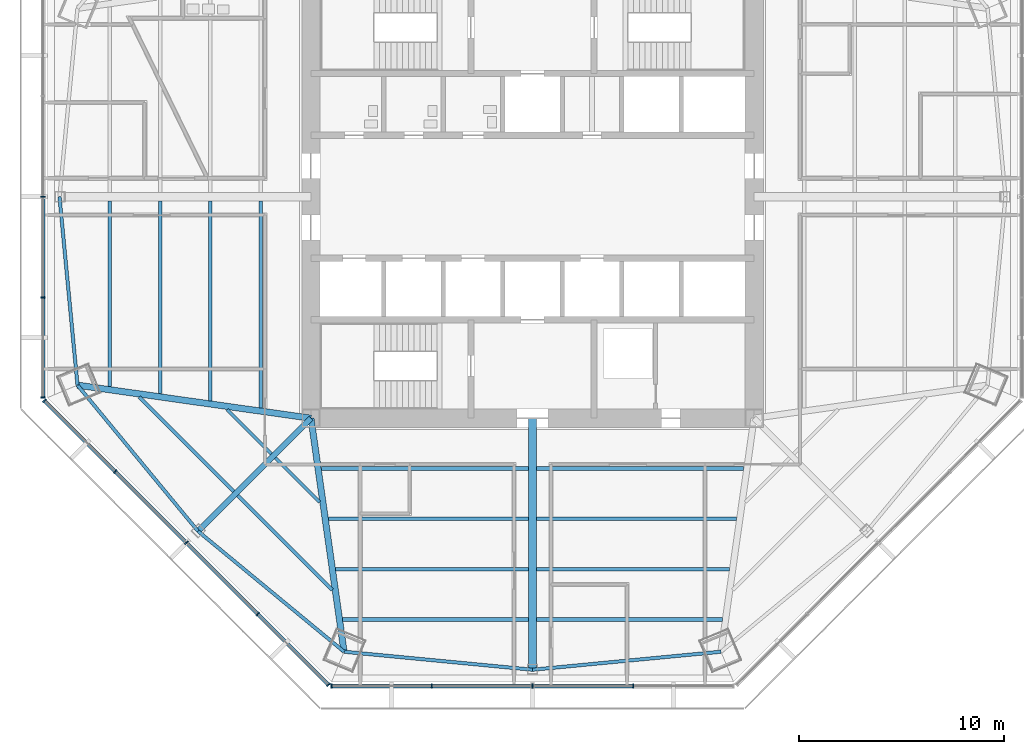
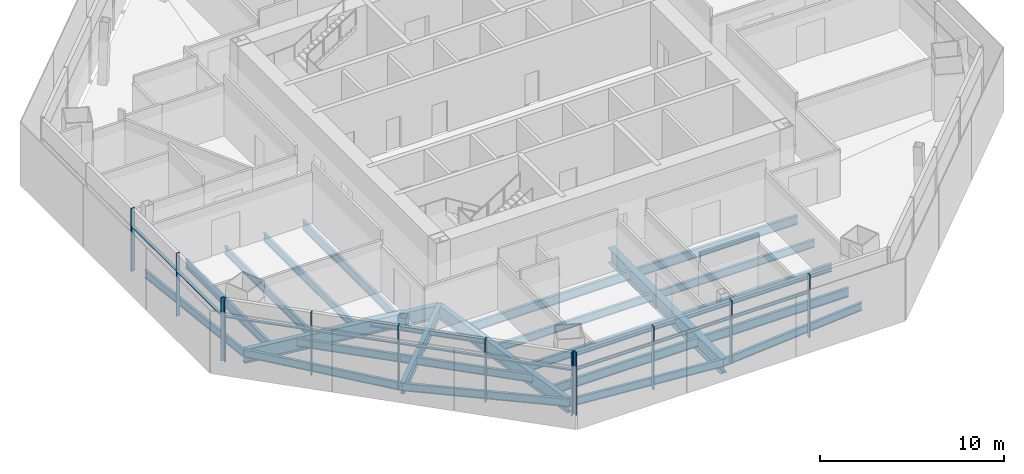
# One storey, part 2 of 14: 25 beams, 21 members, 3 elements without a shape of their own.
"""IFC4 building model written with IfcOpenShell, lengths in metres."""

import ifcopenshell
import ifcopenshell.guid

model = None  # the IFC model being written
_history = None  # IfcOwnerHistory: only IFC2X3 demands one
_inside = {}  # id of a spatial element -> (the spatial element, [elements in it])
_under = {}  # id of a project, library or spatial element -> (it, [spatial elements below it])
_declared = {}  # id of a project -> (the project, [libraries it declares])
_typed = {}  # id of a type object -> (the type object, [elements of that type])
_made_of = {}  # id of a material, layer set ... -> (it, [elements and type objects made of it])


def new_model(schema):
    """Start an empty IFC model of exactly this schema.

    Asked for "IFC4X3", IfcOpenShell would pick the latest addendum, in which some entities
    have other attributes; the version numbers below select the first issue.
    IFC2X3 requires an IfcOwnerHistory on every rooted entity: one is made here for all.
    """
    global model, _history
    if schema == "IFC4X3":
        model = ifcopenshell.file(schema_version=(4, 3, 0, 0))
    else:
        model = ifcopenshell.file(schema=schema)
    _inside.clear()
    _under.clear()
    _declared.clear()
    _typed.clear()
    _made_of.clear()
    _history = None
    if model.schema == "IFC2X3":
        org = make("IfcOrganization", Name="unknown")
        user = make(
            "IfcPersonAndOrganization",
            ThePerson=make("IfcPerson", FamilyName="unknown"),
            TheOrganization=org,
        )
        app = make(
            "IfcApplication",
            ApplicationDeveloper=org,
            Version="unknown",
            ApplicationFullName="unknown",
            ApplicationIdentifier="unknown",
        )
        _history = make(
            "IfcOwnerHistory",
            OwningUser=user,
            OwningApplication=app,
            ChangeAction="ADDED",
            CreationDate=0,
        )
    return model


def make(cls, **values):
    """One entity of the class cls with the attributes given. An attribute that is None is left unset."""
    return model.create_entity(
        cls, **{name: value for name, value in values.items() if value is not None}
    )


def rooted(cls, **values):
    """An entity with a GlobalId (a new one), such as an element, a storey or a relation."""
    return make(cls, GlobalId=ifcopenshell.guid.new(), OwnerHistory=_history, **values)


def si_unit(unit_type, name, prefix=None):
    """IfcSIUnit, for example si_unit("LENGTHUNIT", "METRE", prefix="MILLI")."""
    return make("IfcSIUnit", UnitType=unit_type, Prefix=prefix, Name=name)


def assignment(units):
    """IfcUnitAssignment: the units of a project."""
    return None if units is None else make("IfcUnitAssignment", Units=units)


def point(xyz):
    """IfcCartesianPoint."""
    return None if xyz is None else make("IfcCartesianPoint", Coordinates=xyz)


def direction(xyz):
    """IfcDirection."""
    return None if xyz is None else make("IfcDirection", DirectionRatios=xyz)


def frame(location, z_axis=None, x_axis=None):
    """IfcAxis2Placement3D, a coordinate frame: its origin and axes. An axis left out is left unset."""
    return make(
        "IfcAxis2Placement3D",
        Location=point(location),
        Axis=direction(z_axis),
        RefDirection=direction(x_axis),
    )


def frame_2d(location, x_axis=None):
    """IfcAxis2Placement2D, a coordinate frame in the plane: its origin and x axis."""
    return make(
        "IfcAxis2Placement2D", Location=point(location), RefDirection=direction(x_axis)
    )


def origin():
    """The frame at (0, 0, 0) with its axes left unset."""
    return frame((0.0, 0.0, 0.0))


def origin_2d():
    """The frame at (0, 0) in the plane with its x axis left unset."""
    return frame_2d((0.0, 0.0))


def place(relative_to, where):
    """IfcLocalPlacement: puts the frame where relative to a parent placement (None: the world)."""
    return make(
        "IfcLocalPlacement", PlacementRelTo=relative_to, RelativePlacement=where
    )


def context(
    kind, dimensions, precision=None, world=None, true_north=None, identifier=None
):
    """IfcGeometricRepresentationContext, for example the 3D "Model" context."""
    return make(
        "IfcGeometricRepresentationContext",
        ContextIdentifier=identifier,
        ContextType=kind,
        CoordinateSpaceDimension=dimensions,
        Precision=precision,
        WorldCoordinateSystem=world,
        TrueNorth=true_north,
    )


def subcontext(parent, identifier, kind, view, scale=None):
    """IfcGeometricRepresentationSubContext, for example "Body" below "Model"."""
    return make(
        "IfcGeometricRepresentationSubContext",
        ContextIdentifier=identifier,
        ContextType=kind,
        ParentContext=parent,
        TargetScale=scale,
        TargetView=view,
    )


def project(units=None, contexts=None):
    """IfcProject with its units and contexts."""
    return rooted(
        "IfcProject",
        Name="project",
        RepresentationContexts=contexts,
        UnitsInContext=assignment(units),
    )


def spatial(cls, under=None, at=None, **own):
    """A site, building, storey or space (cls), placed at a placement, below another one or the project."""
    s = rooted(cls, ObjectPlacement=at, **own)
    if under is not None:
        _under.setdefault(under.id(), (under, []))[1].append(s)
    return s


def profile(cls, at=None, kind="AREA", **sizes):
    """A parametric profile (cls). Its sizes go by their IFC names, for example OverallWidth=200.0."""
    return make(cls, ProfileType=kind, Position=at, **sizes)


def rectangle(**sizes):
    """IfcRectangleProfileDef."""
    return profile("IfcRectangleProfileDef", **sizes)


def i_section(**sizes):
    """IfcIShapeProfileDef."""
    return profile("IfcIShapeProfileDef", **sizes)


def extrude(swept, where, along, depth):
    """IfcExtrudedAreaSolid: the profile swept, set in the frame where, extruded along a direction by depth."""
    return make(
        "IfcExtrudedAreaSolid",
        SweptArea=swept,
        Position=where,
        ExtrudedDirection=direction(along),
        Depth=depth,
    )


def shape(context_of_items, identifier, shape_type, items):
    """IfcShapeRepresentation: the items that make up one representation, for example the "Body"."""
    return make(
        "IfcShapeRepresentation",
        ContextOfItems=context_of_items,
        RepresentationIdentifier=identifier,
        RepresentationType=shape_type,
        Items=items,
    )


def source(mapping_origin, context_of_items, identifier, shape_type, items):
    """IfcRepresentationMap: a shape defined once, which mapped items show again and again."""
    return make(
        "IfcRepresentationMap",
        MappingOrigin=mapping_origin,
        MappedRepresentation=shape(context_of_items, identifier, shape_type, items),
    )


def transform(
    local_origin,
    x_axis=None,
    y_axis=None,
    z_axis=None,
    scale=None,
    scale2=None,
    scale3=None,
    uniform=True,
):
    """IfcCartesianTransformationOperator3D, or its non-uniform kind. x_axis, y_axis, z_axis: its Axis1, 2, 3."""
    if uniform:
        return make(
            "IfcCartesianTransformationOperator3D",
            Axis1=direction(x_axis),
            Axis2=direction(y_axis),
            LocalOrigin=point(local_origin),
            Scale=scale,
            Axis3=direction(z_axis),
        )
    return make(
        "IfcCartesianTransformationOperator3DnonUniform",
        Axis1=direction(x_axis),
        Axis2=direction(y_axis),
        LocalOrigin=point(local_origin),
        Scale=scale,
        Axis3=direction(z_axis),
        Scale2=scale2,
        Scale3=scale3,
    )


def mapped(mapping_source, mapping_target):
    """IfcMappedItem: shows the shape of a source again, moved by a transform."""
    return make(
        "IfcMappedItem", MappingSource=mapping_source, MappingTarget=mapping_target
    )


def material(Name=None, Category=None):
    """IfcMaterial."""
    return make("IfcMaterial", Name=Name, Category=Category)


def material_profile(
    of_material, cross_section, Name=None, Category=None, Priority=None
):
    """IfcMaterialProfile: a cross section and its material."""
    return make(
        "IfcMaterialProfile",
        Name=Name,
        Material=of_material,
        Profile=cross_section,
        Priority=Priority,
        Category=Category,
    )


def profile_set(profiles, Name=None, composite=None):
    """IfcMaterialProfileSet."""
    return make(
        "IfcMaterialProfileSet",
        Name=Name,
        MaterialProfiles=profiles,
        CompositeProfile=composite,
    )


def made_of(thing, what):
    """Note that an element or type object is made of a material, layer set ...; save() writes the relation."""
    if what is not None:
        _made_of.setdefault(what.id(), (what, []))[1].append(thing)
    return thing


def type_object(cls, material=None, **own):
    """A type object (cls), such as IfcWallType, which elements share."""
    return made_of(rooted(cls, **own), material)


def type_shapes(of_type, sources):
    """Give a type object the sources (RepresentationMaps) that its elements show as mapped items."""
    of_type.RepresentationMaps = sources


def element(
    cls,
    number,
    at=None,
    inside=None,
    cuts=None,
    type_object=None,
    material=None,
    context=None,
    identifier="Body",
    shape_type=None,
    held_by="IfcProductDefinitionShape",
    body=None,
    shapes=None,
    **own,
):
    """One element of the class cls, such as IfcWall. Its Tag is "e" and its number.

    at: its placement. inside: the storey or other place that contains it. cuts: it is an
    opening in that element (IfcRelVoidsElement). A single representation is given by context,
    identifier, shape_type and body (its items); several are given by shapes. held_by: the class
    of the entity that holds the representations. save() writes the other relations.
    """
    e = rooted(cls, Tag="e%d" % number, ObjectPlacement=at, **own)
    if body is not None:
        shapes = [shape(context, identifier, shape_type, body)]
    if shapes is not None:
        e.Representation = make(held_by, Representations=shapes)
    if inside is not None:
        _inside.setdefault(inside.id(), (inside, []))[1].append(e)
    if cuts is not None:
        rooted(
            "IfcRelVoidsElement", RelatingBuildingElement=cuts, RelatedOpeningElement=e
        )
    if type_object is not None:
        _typed.setdefault(type_object.id(), (type_object, []))[1].append(e)
    return made_of(e, material)


def aggregate(whole, parts):
    """IfcRelAggregates: a whole, such as a stair, and the parts it consists of."""
    return rooted("IfcRelAggregates", RelatingObject=whole, RelatedObjects=parts)


def save(model, path):
    """Write the relations noted so far, then the file.

    IfcRelAggregates (storeys below a building ...), IfcRelContainedInSpatialStructure (elements
    in a storey), IfcRelDefinesByType, IfcRelAssociatesMaterial and IfcRelDeclares: one each for
    every whole, place, type object, material and project.
    """
    for whole, parts in _under.values():
        aggregate(whole, parts)
    for where, things in _inside.values():
        rooted(
            "IfcRelContainedInSpatialStructure",
            RelatedElements=things,
            RelatingStructure=where,
        )
    for kind, things in _typed.values():
        rooted("IfcRelDefinesByType", RelatedObjects=things, RelatingType=kind)
    for what, things in _made_of.values():
        rooted("IfcRelAssociatesMaterial", RelatedObjects=things, RelatingMaterial=what)
    for by, libraries in _declared.values():
        rooted("IfcRelDeclares", RelatingContext=by, RelatedDefinitions=libraries)
    model.write(path)


model = new_model("IFC4")

# Units and contexts
model_context = context("Model", 3, precision=1e-05, world=origin(), true_north=direction((0.0, 1.0)))
body_context = subcontext(model_context, "Body", "Model", "MODEL_VIEW")
ifc_project = project(units=[si_unit("LENGTHUNIT", "METRE"), si_unit("AREAUNIT", "SQUARE_METRE"), si_unit("VOLUMEUNIT", "CUBIC_METRE"), si_unit("PLANEANGLEUNIT", "RADIAN"), si_unit("MASSUNIT", "GRAM", prefix="KILO")], contexts=[model_context])

# Site, building, storey
site_placement = place(None, origin())
site = spatial("IfcSite", under=ifc_project, at=site_placement, CompositionType="ELEMENT")
building_placement = place(site_placement, origin())
building = spatial("IfcBuilding", under=site, at=building_placement, Name="Mashrafa Tower", CompositionType="ELEMENT")
storey_placement = place(building_placement, frame((0.0, 0.0, 147.0)))
storey = spatial("IfcBuildingStorey", under=building, at=storey_placement, Name="L33", CompositionType="ELEMENT", Elevation=147.0)

# Beams
ifc_material_1 = material(Name="Steel ASTM A992", Category="steel")
ifc_material_profile_1 = material_profile(ifc_material_1, i_section(OverallWidth=0.164794921875, OverallDepth=0.309814453125, WebThickness=0.005859375, FlangeThickness=0.009765625, FilletRadius=0.007568359375, at=origin_2d()), Name="W12X26")
ifc_profile_set_1 = profile_set([ifc_material_profile_1], Name="Steel ASTM A992")
beam_type_1 = type_object("IfcBeamType", Name="Beam W12X26", PredefinedType="BEAM", material=ifc_profile_set_1)
for number, where, z_axis, x_axis, name in (
    (1, (-12.729736328125, -12.541259765625, -0.31982421875), (-0.707106781187, 0.707106781187, 0.0), (-0.707106781187, -0.707106781187, 0.0), "Floor beam L33 013"),
    (2, (-10.375244140625, -14.895751953125, -0.31982421875), (-0.707106781187, 0.707106781187, 0.0), (-0.707106781187, -0.707106781187, 0.0), "Floor beam L33 016"),
):
    element("IfcBeam", number, at=place(storey_placement, frame(where, z_axis=z_axis, x_axis=x_axis)), inside=storey, type_object=beam_type_1, Name=name, PredefinedType="BEAM", context=body_context, shape_type="SweptSolid", body=[
        extrude(i_section(OverallWidth=0.164794921875, OverallDepth=0.309814453125, WebThickness=0.005859375, FlangeThickness=0.009765625, FilletRadius=0.007568359375, at=origin_2d()), origin(), (0.0, 0.0, 1.0), 3.063232421875),
    ])
ifc_material_2 = material(Name="Steel ASTM A992", Category="steel")
ifc_material_profile_2 = material_profile(ifc_material_2, i_section(OverallWidth=0.1650390625, OverallDepth=0.52587890625, WebThickness=0.0087890625, FlangeThickness=0.011474609375, FilletRadius=0.0126953125, at=origin_2d()), Name="W21X44")
ifc_profile_set_2 = profile_set([ifc_material_profile_2], Name="Steel ASTM A992")
beam_type_2 = type_object("IfcBeamType", Name="Beam W21X44", PredefinedType="BEAM", material=ifc_profile_set_2)
beam_1_placement = place(storey_placement, frame((-18.156494140625, -9.603271484375, -0.427978515625), z_axis=(0.0, 1.0, 0.0), x_axis=(-1.0, 0.0, 0.0)))
element("IfcBeam", 3, at=beam_1_placement, inside=storey, type_object=beam_type_2, Name="Floor beam L33 004", PredefinedType="BEAM", context=body_context, shape_type="SweptSolid", body=[
    extrude(i_section(OverallWidth=0.1650390625, OverallDepth=0.52587890625, WebThickness=0.0087890625, FlangeThickness=0.011474609375, FilletRadius=0.0126953125, at=origin_2d()), origin(), (0.0, 0.0, 1.0), 9.402587890625),
])
beam_2_placement = place(storey_placement, frame((-15.704345703125, -9.950439453125, -0.427978515625), z_axis=(0.0, 1.0, 0.0), x_axis=(-1.0, 0.0, 0.0)))
element("IfcBeam", 4, at=beam_2_placement, inside=storey, type_object=beam_type_2, Name="Floor beam L33 006", PredefinedType="BEAM", context=body_context, shape_type="SweptSolid", body=[
    extrude(i_section(OverallWidth=0.1650390625, OverallDepth=0.52587890625, WebThickness=0.0087890625, FlangeThickness=0.011474609375, FilletRadius=0.0126953125, at=origin_2d()), origin(), (0.0, 0.0, 1.0), 9.749755859375),
])
for number, where, z_axis, x_axis, name in (
    (5, (-14.5654296875, -14.376708984375, -0.427978515625), (-0.707106781187, 0.707106781187, 0.0), (-0.707106781187, -0.707106781187, 0.0), "Floor beam L33 009"),
    (6, (-9.769775390625, -19.17236328125, -0.427978515625), (-0.707106781187, 0.707106781187, 0.0), (-0.707106781187, -0.707106781187, 0.0), "Floor beam L33 019"),
):
    element("IfcBeam", number, at=place(storey_placement, frame(where, z_axis=z_axis, x_axis=x_axis)), inside=storey, type_object=beam_type_2, Name=name, PredefinedType="BEAM", context=body_context, shape_type="SweptSolid", body=[
        extrude(i_section(OverallWidth=0.1650390625, OverallDepth=0.52587890625, WebThickness=0.0087890625, FlangeThickness=0.011474609375, FilletRadius=0.0126953125, at=origin_2d()), origin(), (0.0, 0.0, 1.0), 6.51513671875),
    ])
beam_3_placement = place(storey_placement, frame((-0.20068359375, -18.156494140625, -0.427978515625), z_axis=(-1.0, 0.0, 0.0), x_axis=(0.0, -1.0, 0.0)))
element("IfcBeam", 7, at=beam_3_placement, inside=storey, type_object=beam_type_2, Name="Floor beam L33 022", PredefinedType="BEAM", context=body_context, shape_type="SweptSolid", body=[
    extrude(i_section(OverallWidth=0.1650390625, OverallDepth=0.52587890625, WebThickness=0.0087890625, FlangeThickness=0.011474609375, FilletRadius=0.0126953125, at=origin_2d()), origin(), (0.0, 0.0, 1.0), 9.402587890625),
])
beam_4_placement = place(storey_placement, frame((-0.20068359375, -15.704345703125, -0.427978515625), z_axis=(-1.0, 0.0, 0.0), x_axis=(0.0, -1.0, 0.0)))
element("IfcBeam", 8, at=beam_4_placement, inside=storey, type_object=beam_type_2, Name="Floor beam L33 023", PredefinedType="BEAM", context=body_context, shape_type="SweptSolid", body=[
    extrude(i_section(OverallWidth=0.1650390625, OverallDepth=0.52587890625, WebThickness=0.0087890625, FlangeThickness=0.011474609375, FilletRadius=0.0126953125, at=origin_2d()), origin(), (0.0, 0.0, 1.0), 9.749755859375),
])
beam_5_placement = place(storey_placement, frame((9.603271484375, -18.156494140625, -0.427978515625), z_axis=(-1.0, 0.0, 0.0), x_axis=(0.0, -1.0, 0.0)))
element("IfcBeam", 9, at=beam_5_placement, inside=storey, type_object=beam_type_2, Name="Floor beam L33 031", PredefinedType="BEAM", context=body_context, shape_type="SweptSolid", body=[
    extrude(i_section(OverallWidth=0.1650390625, OverallDepth=0.52587890625, WebThickness=0.0087890625, FlangeThickness=0.011474609375, FilletRadius=0.0126953125, at=origin_2d()), origin(), (0.0, 0.0, 1.0), 9.402587890625),
])
beam_6_placement = place(storey_placement, frame((9.950439453125, -15.704345703125, -0.427978515625), z_axis=(-1.0, 0.0, 0.0), x_axis=(0.0, -1.0, 0.0)))
element("IfcBeam", 10, at=beam_6_placement, inside=storey, type_object=beam_type_2, Name="Floor beam L33 032", PredefinedType="BEAM", context=body_context, shape_type="SweptSolid", body=[
    extrude(i_section(OverallWidth=0.1650390625, OverallDepth=0.52587890625, WebThickness=0.0087890625, FlangeThickness=0.011474609375, FilletRadius=0.0126953125, at=origin_2d()), origin(), (0.0, 0.0, 1.0), 9.749755859375),
])
for number, where, z_axis, x_axis, name in (
    (11, (-23.06103515625, 0.0, -0.427978515625), (0.095139858237, -0.995463915657, 0.0), (0.995463915657, 0.095139858237, 0.0), "Spandrel beam L33 065"),
    (12, (-22.182861328125, -9.1884765625, -0.427978515625), (0.636623717633, -0.771174586036, 0.0), (0.771174586036, 0.636623717633, 0.0), "Spandrel beam L33 066"),
    (13, (-16.306640625, -16.306640625, -0.427978515625), (0.771174586036, -0.636623717633, 0.0), (0.636623717633, 0.771174586036, 0.0), "Spandrel beam L33 068"),
    (14, (-9.1884765625, -22.182861328125, -0.427978515625), (0.995463915657, -0.095139858237, 0.0), (0.095139858237, 0.995463915657, 0.0), "Spandrel beam L33 070"),
    (15, (0.0, -23.06103515625, -0.427978515625), (0.995463915657, 0.095139858237, 0.0), (-0.095139858237, 0.995463915657, 0.0), "Spandrel beam L33 072"),
):
    element("IfcBeam", number, at=place(storey_placement, frame(where, z_axis=z_axis, x_axis=x_axis)), inside=storey, type_object=beam_type_2, Name=name, PredefinedType="BEAM", context=body_context, shape_type="SweptSolid", body=[
        extrude(i_section(OverallWidth=0.1650390625, OverallDepth=0.52587890625, WebThickness=0.0087890625, FlangeThickness=0.011474609375, FilletRadius=0.0126953125, at=origin_2d()), origin(), (0.0, 0.0, 1.0), 9.230224609375),
    ])
ifc_material_3 = material(Name="Steel ASTM A992", Category="steel")
ifc_material_profile_3 = material_profile(ifc_material_3, i_section(OverallWidth=0.177978515625, OverallDepth=0.599365234375, WebThickness=0.010009765625, FlangeThickness=0.012939453125, FilletRadius=0.012939453125, at=origin_2d()), Name="W24X55")
ifc_profile_set_3 = profile_set([ifc_material_profile_3], Name="Steel ASTM A992")
beam_type_3 = type_object("IfcBeamType", Name="Beam W24X55", PredefinedType="BEAM", material=ifc_profile_set_3)
beam_7_placement = place(storey_placement, frame((-20.60888671875, -9.256103515625, -0.464599609375), z_axis=(0.0, 1.0, 0.0), x_axis=(-1.0, 0.0, 0.0)))
element("IfcBeam", 16, at=beam_7_placement, inside=storey, type_object=beam_type_3, Name="Floor beam L33 001", PredefinedType="BEAM", context=body_context, shape_type="SweptSolid", body=[
    extrude(i_section(OverallWidth=0.177978515625, OverallDepth=0.599365234375, WebThickness=0.010009765625, FlangeThickness=0.012939453125, FilletRadius=0.012939453125, at=origin_2d()), origin(), (0.0, 0.0, 1.0), 9.055419921875),
])
beam_8_placement = place(storey_placement, frame((-13.252197265625, -10.297607421875, -0.464599609375), z_axis=(0.0, 1.0, 0.0), x_axis=(-1.0, 0.0, 0.0)))
element("IfcBeam", 17, at=beam_8_placement, inside=storey, type_object=beam_type_3, Name="Floor beam L33 011", PredefinedType="BEAM", context=body_context, shape_type="SweptSolid", body=[
    extrude(i_section(OverallWidth=0.177978515625, OverallDepth=0.599365234375, WebThickness=0.010009765625, FlangeThickness=0.012939453125, FilletRadius=0.012939453125, at=origin_2d()), origin(), (0.0, 0.0, 1.0), 10.096923828125),
])
beam_9_placement = place(storey_placement, frame((-0.20068359375, -20.60888671875, -0.464599609375), z_axis=(-1.0, 0.0, 0.0), x_axis=(0.0, -1.0, 0.0)))
element("IfcBeam", 18, at=beam_9_placement, inside=storey, type_object=beam_type_3, Name="Floor beam L33 021", PredefinedType="BEAM", context=body_context, shape_type="SweptSolid", body=[
    extrude(i_section(OverallWidth=0.177978515625, OverallDepth=0.599365234375, WebThickness=0.010009765625, FlangeThickness=0.012939453125, FilletRadius=0.012939453125, at=origin_2d()), origin(), (0.0, 0.0, 1.0), 9.055419921875),
])
beam_10_placement = place(storey_placement, frame((-0.20068359375, -13.252197265625, -0.464599609375), z_axis=(-1.0, 0.0, 0.0), x_axis=(0.0, -1.0, 0.0)))
element("IfcBeam", 19, at=beam_10_placement, inside=storey, type_object=beam_type_3, Name="Floor beam L33 024", PredefinedType="BEAM", context=body_context, shape_type="SweptSolid", body=[
    extrude(i_section(OverallWidth=0.177978515625, OverallDepth=0.599365234375, WebThickness=0.010009765625, FlangeThickness=0.012939453125, FilletRadius=0.012939453125, at=origin_2d()), origin(), (0.0, 0.0, 1.0), 10.096923828125),
])
beam_11_placement = place(storey_placement, frame((9.256103515625, -20.60888671875, -0.464599609375), z_axis=(-1.0, 0.0, 0.0), x_axis=(0.0, -1.0, 0.0)))
element("IfcBeam", 20, at=beam_11_placement, inside=storey, type_object=beam_type_3, Name="Floor beam L33 029", PredefinedType="BEAM", context=body_context, shape_type="SweptSolid", body=[
    extrude(i_section(OverallWidth=0.177978515625, OverallDepth=0.599365234375, WebThickness=0.010009765625, FlangeThickness=0.012939453125, FilletRadius=0.012939453125, at=origin_2d()), origin(), (0.0, 0.0, 1.0), 9.055419921875),
])
beam_12_placement = place(storey_placement, frame((10.297607421875, -13.252197265625, -0.464599609375), z_axis=(-1.0, 0.0, 0.0), x_axis=(0.0, -1.0, 0.0)))
element("IfcBeam", 21, at=beam_12_placement, inside=storey, type_object=beam_type_3, Name="Floor beam L33 034", PredefinedType="BEAM", context=body_context, shape_type="SweptSolid", body=[
    extrude(i_section(OverallWidth=0.177978515625, OverallDepth=0.599365234375, WebThickness=0.010009765625, FlangeThickness=0.012939453125, FilletRadius=0.012939453125, at=origin_2d()), origin(), (0.0, 0.0, 1.0), 10.096923828125),
])
ifc_material_4 = material(Name="Steel ASTM A992", Category="steel")
ifc_material_profile_4 = material_profile(ifc_material_4, i_section(OverallWidth=0.2666015625, OverallDepth=0.761962890625, WebThickness=0.014404296875, FlangeThickness=0.021484375, FilletRadius=0.0166015625, at=origin_2d()), Name="W30X116")
ifc_profile_set_4 = profile_set([ifc_material_profile_4], Name="Steel ASTM A992")
beam_type_4 = type_object("IfcBeamType", Name="Beam W30X116", PredefinedType="BEAM", material=ifc_profile_set_4)
beam_13_placement = place(storey_placement, frame((-10.800048828125, -10.800048828125, -0.5458984375), z_axis=(-0.707106781187, -0.707106781187, 0.0), x_axis=(0.707106781187, -0.707106781187, 0.0)))
element("IfcBeam", 22, at=beam_13_placement, inside=storey, type_object=beam_type_4, Name="Radial girder L33 050", PredefinedType="BEAM", context=body_context, shape_type="SweptSolid", body=[
    extrude(i_section(OverallWidth=0.2666015625, OverallDepth=0.761962890625, WebThickness=0.014404296875, FlangeThickness=0.021484375, FilletRadius=0.0166015625, at=origin_2d()), origin(), (0.0, 0.0, 1.0), 7.78759765625),
])
ifc_material_5 = material(Name="Steel ASTM A992", Category="steel")
ifc_material_profile_5 = material_profile(ifc_material_5, i_section(OverallWidth=0.307373046875, OverallDepth=0.927001953125, WebThickness=0.01953125, FlangeThickness=0.031982421875, FilletRadius=0.01904296875, at=origin_2d()), Name="W36X194")
ifc_profile_set_5 = profile_set([ifc_material_profile_5], Name="Steel ASTM A992")
beam_type_5 = type_object("IfcBeamType", Name="Beam W36X194", PredefinedType="BEAM", material=ifc_profile_set_5)
for number, where, z_axis, x_axis, name in (
    (23, (-10.800048828125, -10.800048828125, -0.628662109375), (-0.990125828891, 0.140181464407, 0.0), (-0.140181464407, -0.990125828891, 0.0), "Radial girder L33 049"),
    (24, (-10.800048828125, -10.800048828125, -0.628662109375), (0.140181464407, -0.990125828891, 0.0), (0.990125828891, 0.140181464407, 0.0), "Radial girder L33 051"),
):
    element("IfcBeam", number, at=place(storey_placement, frame(where, z_axis=z_axis, x_axis=x_axis)), inside=storey, type_object=beam_type_5, Name=name, PredefinedType="BEAM", context=body_context, shape_type="SweptSolid", body=[
        extrude(i_section(OverallWidth=0.307373046875, OverallDepth=0.927001953125, WebThickness=0.01953125, FlangeThickness=0.031982421875, FilletRadius=0.01904296875, at=origin_2d()), origin(), (0.0, 0.0, 1.0), 11.496337890625),
    ])
ifc_material_6 = material(Name="Steel ASTM A992", Category="steel")
ifc_material_profile_6 = material_profile(ifc_material_6, i_section(OverallWidth=0.4013671875, OverallDepth=1.010986328125, WebThickness=0.023681640625, FlangeThickness=0.0419921875, FilletRadius=0.02001953125, at=origin_2d()), Name="W40X297")
ifc_profile_set_6 = profile_set([ifc_material_profile_6], Name="Steel ASTM A992")
beam_type_6 = type_object("IfcBeamType", Name="Beam W40X297", PredefinedType="BEAM", material=ifc_profile_set_6)
beam_14_placement = place(storey_placement, frame((0.0, -10.800048828125, -0.67041015625), z_axis=(0.0, -1.0, 0.0), x_axis=(1.0, 0.0, 0.0)))
element("IfcBeam", 25, at=beam_14_placement, inside=storey, type_object=beam_type_6, Name="Radial girder L33 056", PredefinedType="BEAM", context=body_context, shape_type="SweptSolid", body=[
    extrude(i_section(OverallWidth=0.4013671875, OverallDepth=1.010986328125, WebThickness=0.023681640625, FlangeThickness=0.0419921875, FilletRadius=0.02001953125, at=origin_2d()), origin(), (0.0, 0.0, 1.0), 12.260986328125),
])

# Curtain wall, members
ifc_material_7 = material(Name="Unitised aluminium curtain wall", Category="aluminium")
curtain_wall_type = type_object("IfcCurtainWallType", Name="Office curtain wall, zone 2 CW-B 225 deep", PredefinedType="NOTDEFINED", material=ifc_material_7)
curtain_wall_1_placement = place(storey_placement, origin())
curtain_wall_1 = element("IfcCurtainWall", 26, at=curtain_wall_1_placement, inside=storey, type_object=curtain_wall_type, Name="Office curtain wall, zone 2 L33 west", PredefinedType="NOTDEFINED")
ifc_material_8 = material(Name="Extruded aluminium mullion", Category="aluminium")
ifc_material_profile_7 = material_profile(ifc_material_8, rectangle(XDim=0.22509765625, YDim=0.06494140625, at=origin_2d()), Name="Mullion 65x225")
ifc_profile_set_7 = profile_set([ifc_material_profile_7], Name="Extruded aluminium mullion")
member_type_1 = type_object("IfcMemberType", Name="Mullion CW-B 65 x 225", PredefinedType="MULLION", material=ifc_profile_set_7)
shared_shape_1 = source(origin(), body_context, "Body", "SweptSolid", [
    extrude(rectangle(XDim=0.22509765625, YDim=0.06494140625, at=origin_2d()), origin(), (0.0, 0.0, 1.0), 4.199951171875),
])
type_shapes(member_type_1, [shared_shape_1])
member_1_placement = place(storey_placement, frame((-23.856201171875, 0.0, 0.0), z_axis=(0.0, 0.0, 1.0), x_axis=(1.0, 0.0, 0.0)))
member_1 = element("IfcMember", 27, at=member_1_placement, type_object=member_type_1, Name="CW-B mullion 3", PredefinedType="MULLION", context=body_context, shape_type="MappedRepresentation", body=[
    mapped(shared_shape_1, transform((0.0, 0.0, 0.0))),
])
member_2_placement = place(storey_placement, frame((-23.856201171875, -4.91259765625, 0.0), z_axis=(0.0, 0.0, 1.0), x_axis=(1.0, 0.0, 0.0)))
member_2 = element("IfcMember", 28, at=member_2_placement, type_object=member_type_1, Name="CW-B mullion 4", PredefinedType="MULLION", context=body_context, shape_type="MappedRepresentation", body=[
    mapped(shared_shape_1, transform((0.0, 0.0, 0.0))),
])
member_3_placement = place(storey_placement, frame((-23.856201171875, -9.79248046875, 0.0), z_axis=(0.0, 0.0, 1.0), x_axis=(1.0, 0.0, 0.0)))
member_3 = element("IfcMember", 29, at=member_3_placement, type_object=member_type_1, Name="CW-B mullion 5", PredefinedType="MULLION", context=body_context, shape_type="MappedRepresentation", body=[
    mapped(shared_shape_1, transform((0.0, 0.0, 0.0))),
])

curtain_wall_2_placement = place(storey_placement, origin())
curtain_wall_2 = element("IfcCurtainWall", 30, at=curtain_wall_2_placement, inside=storey, type_object=curtain_wall_type, Name="Office curtain wall, zone 2 L33 south-west", PredefinedType="NOTDEFINED")
member_4_placement = place(storey_placement, frame((-23.793212890625, -9.944580078125, 0.0), z_axis=(0.0, 0.0, 1.0), x_axis=(0.707106781187, 0.707106781187, 0.0)))
member_4 = element("IfcMember", 31, at=member_4_placement, type_object=member_type_1, Name="CW-B mullion 1", PredefinedType="MULLION", context=body_context, shape_type="MappedRepresentation", body=[
    mapped(shared_shape_1, transform((0.0, 0.0, 0.0))),
])
member_5_placement = place(storey_placement, frame((-20.342529296875, -13.395263671875, 0.0), z_axis=(0.0, 0.0, 1.0), x_axis=(0.707106781187, 0.707106781187, 0.0)))
member_5 = element("IfcMember", 32, at=member_5_placement, type_object=member_type_1, Name="CW-B mullion 2", PredefinedType="MULLION", context=body_context, shape_type="MappedRepresentation", body=[
    mapped(shared_shape_1, transform((0.0, 0.0, 0.0))),
])
member_6_placement = place(storey_placement, frame((-16.868896484375, -16.868896484375, 0.0), z_axis=(0.0, 0.0, 1.0), x_axis=(0.707106781187, 0.707106781187, 0.0)))
member_6 = element("IfcMember", 33, at=member_6_placement, type_object=member_type_1, Name="CW-B mullion 3", PredefinedType="MULLION", context=body_context, shape_type="MappedRepresentation", body=[
    mapped(shared_shape_1, transform((0.0, 0.0, 0.0))),
])
member_7_placement = place(storey_placement, frame((-13.395263671875, -20.342529296875, 0.0), z_axis=(0.0, 0.0, 1.0), x_axis=(0.707106781187, 0.707106781187, 0.0)))
member_7 = element("IfcMember", 34, at=member_7_placement, type_object=member_type_1, Name="CW-B mullion 4", PredefinedType="MULLION", context=body_context, shape_type="MappedRepresentation", body=[
    mapped(shared_shape_1, transform((0.0, 0.0, 0.0))),
])
member_8_placement = place(storey_placement, frame((-9.944580078125, -23.793212890625, 0.0), z_axis=(0.0, 0.0, 1.0), x_axis=(0.707106781187, 0.707106781187, 0.0)))
member_8 = element("IfcMember", 35, at=member_8_placement, type_object=member_type_1, Name="CW-B mullion 5", PredefinedType="MULLION", context=body_context, shape_type="MappedRepresentation", body=[
    mapped(shared_shape_1, transform((0.0, 0.0, 0.0))),
])

curtain_wall_3_placement = place(storey_placement, origin())
curtain_wall_3 = element("IfcCurtainWall", 36, at=curtain_wall_3_placement, inside=storey, type_object=curtain_wall_type, Name="Office curtain wall, zone 2 L33 south", PredefinedType="NOTDEFINED")
member_9_placement = place(storey_placement, frame((-9.79248046875, -23.856201171875, 0.0), z_axis=(0.0, 0.0, 1.0), x_axis=(0.0, 1.0, 0.0)))
member_9 = element("IfcMember", 37, at=member_9_placement, type_object=member_type_1, Name="CW-B mullion 1", PredefinedType="MULLION", context=body_context, shape_type="MappedRepresentation", body=[
    mapped(shared_shape_1, transform((0.0, 0.0, 0.0))),
])
member_10_placement = place(storey_placement, frame((-4.91259765625, -23.856201171875, 0.0), z_axis=(0.0, 0.0, 1.0), x_axis=(0.0, 1.0, 0.0)))
member_10 = element("IfcMember", 38, at=member_10_placement, type_object=member_type_1, Name="CW-B mullion 2", PredefinedType="MULLION", context=body_context, shape_type="MappedRepresentation", body=[
    mapped(shared_shape_1, transform((0.0, 0.0, 0.0))),
])
member_11_placement = place(storey_placement, frame((0.0, -23.856201171875, 0.0), z_axis=(0.0, 0.0, 1.0), x_axis=(0.0, 1.0, 0.0)))
member_11 = element("IfcMember", 39, at=member_11_placement, type_object=member_type_1, Name="CW-B mullion 3", PredefinedType="MULLION", context=body_context, shape_type="MappedRepresentation", body=[
    mapped(shared_shape_1, transform((0.0, 0.0, 0.0))),
])
member_12_placement = place(storey_placement, frame((4.91259765625, -23.856201171875, 0.0), z_axis=(0.0, 0.0, 1.0), x_axis=(0.0, 1.0, 0.0)))
member_12 = element("IfcMember", 40, at=member_12_placement, type_object=member_type_1, Name="CW-B mullion 4", PredefinedType="MULLION", context=body_context, shape_type="MappedRepresentation", body=[
    mapped(shared_shape_1, transform((0.0, 0.0, 0.0))),
])

# Member
ifc_material_9 = material(Name="Extruded aluminium transom", Category="aluminium")
ifc_material_profile_8 = material_profile(ifc_material_9, rectangle(XDim=0.179931640625, YDim=0.080078125, at=origin_2d()), Name="Transom 80x180")
ifc_profile_set_8 = profile_set([ifc_material_profile_8], Name="Extruded aluminium transom")
member_type_2 = type_object("IfcMemberType", Name="Transom CW-B 80 x 180", PredefinedType="MULLION", material=ifc_profile_set_8)
shared_shape_2 = source(origin(), body_context, "Body", "SweptSolid", [
    extrude(rectangle(XDim=0.179931640625, YDim=0.080078125, at=origin_2d()), origin(), (0.0, 0.0, 1.0), 4.81494140625),
])
member_13_placement = place(storey_placement, frame((-23.856201171875, -4.945068359375, 3.0), z_axis=(0.0, -1.0, 0.0), x_axis=(1.0, 0.0, 0.0)))
member_13 = element("IfcMember", 41, at=member_13_placement, type_object=member_type_2, Name="CW-B transom 4", PredefinedType="MULLION", context=body_context, shape_type="MappedRepresentation", body=[
    mapped(shared_shape_2, transform((0.0, 0.0, 0.0))),
])

member_14_placement = place(storey_placement, frame((-9.760009765625, -23.856201171875, 3.0), z_axis=(1.0, 0.0, 0.0), x_axis=(0.0, 1.0, 0.0)))
member_14 = element("IfcMember", 42, at=member_14_placement, type_object=member_type_2, Name="CW-B transom 1", PredefinedType="MULLION", context=body_context, shape_type="MappedRepresentation", body=[
    mapped(shared_shape_2, transform((0.0, 0.0, 0.0))),
])

shared_shape_3 = source(origin(), body_context, "Body", "SweptSolid", [
    extrude(rectangle(XDim=0.179931640625, YDim=0.080078125, at=origin_2d()), origin(), (0.0, 0.0, 1.0), 4.847412109375),
])
member_15_placement = place(storey_placement, frame((-23.856201171875, -0.032470703125, 3.0), z_axis=(0.0, -1.0, 0.0), x_axis=(1.0, 0.0, 0.0)))
member_15 = element("IfcMember", 43, at=member_15_placement, type_object=member_type_2, Name="CW-B transom 3", PredefinedType="MULLION", context=body_context, shape_type="MappedRepresentation", body=[
    mapped(shared_shape_3, transform((0.0, 0.0, 0.0))),
])

aggregate(curtain_wall_1, [member_1, member_2, member_3, member_15, member_13])

member_16_placement = place(storey_placement, frame((-4.8798828125, -23.856201171875, 3.0), z_axis=(1.0, 0.0, 0.0), x_axis=(0.0, 1.0, 0.0)))
member_16 = element("IfcMember", 44, at=member_16_placement, type_object=member_type_2, Name="CW-B transom 2", PredefinedType="MULLION", context=body_context, shape_type="MappedRepresentation", body=[
    mapped(shared_shape_3, transform((0.0, 0.0, 0.0))),
])

member_17_placement = place(storey_placement, frame((0.032470703125, -23.856201171875, 3.0), z_axis=(1.0, 0.0, 0.0), x_axis=(0.0, 1.0, 0.0)))
member_17 = element("IfcMember", 45, at=member_17_placement, type_object=member_type_2, Name="CW-B transom 3", PredefinedType="MULLION", context=body_context, shape_type="MappedRepresentation", body=[
    mapped(shared_shape_3, transform((0.0, 0.0, 0.0))),
])

aggregate(curtain_wall_3, [member_9, member_10, member_11, member_12, member_14, member_16, member_17])

shared_shape_4 = source(origin(), body_context, "Body", "SweptSolid", [
    extrude(rectangle(XDim=0.179931640625, YDim=0.080078125, at=origin_2d()), origin(), (0.0, 0.0, 1.0), 4.815185546875),
])
member_18_placement = place(storey_placement, frame((-23.770263671875, -9.967529296875, 3.0), z_axis=(0.707106781187, -0.707106781187, 0.0), x_axis=(0.707106781187, 0.707106781187, 0.0)))
member_18 = element("IfcMember", 46, at=member_18_placement, type_object=member_type_2, Name="CW-B transom 1", PredefinedType="MULLION", context=body_context, shape_type="MappedRepresentation", body=[
    mapped(shared_shape_4, transform((0.0, 0.0, 0.0))),
])

member_19_placement = place(storey_placement, frame((-13.372314453125, -20.365478515625, 3.0), z_axis=(0.707106781187, -0.707106781187, 0.0), x_axis=(0.707106781187, 0.707106781187, 0.0)))
member_19 = element("IfcMember", 47, at=member_19_placement, type_object=member_type_2, Name="CW-B transom 4", PredefinedType="MULLION", context=body_context, shape_type="MappedRepresentation", body=[
    mapped(shared_shape_4, transform((0.0, 0.0, 0.0))),
])

shared_shape_5 = source(origin(), body_context, "Body", "SweptSolid", [
    extrude(rectangle(XDim=0.179931640625, YDim=0.080078125, at=origin_2d()), origin(), (0.0, 0.0, 1.0), 4.84765625),
])
type_shapes(member_type_2, [shared_shape_2, shared_shape_3, shared_shape_4, shared_shape_5])
member_20_placement = place(storey_placement, frame((-20.319580078125, -13.418212890625, 3.0), z_axis=(0.707106781187, -0.707106781187, 0.0), x_axis=(0.707106781187, 0.707106781187, 0.0)))
member_20 = element("IfcMember", 48, at=member_20_placement, type_object=member_type_2, Name="CW-B transom 2", PredefinedType="MULLION", context=body_context, shape_type="MappedRepresentation", body=[
    mapped(shared_shape_5, transform((0.0, 0.0, 0.0))),
])

member_21_placement = place(storey_placement, frame((-16.845947265625, -16.891845703125, 3.0), z_axis=(0.707106781187, -0.707106781187, 0.0), x_axis=(0.707106781187, 0.707106781187, 0.0)))
member_21 = element("IfcMember", 49, at=member_21_placement, type_object=member_type_2, Name="CW-B transom 3", PredefinedType="MULLION", context=body_context, shape_type="MappedRepresentation", body=[
    mapped(shared_shape_5, transform((0.0, 0.0, 0.0))),
])

aggregate(curtain_wall_2, [member_4, member_5, member_6, member_7, member_8, member_18, member_20, member_21, member_19])

save(model, "model.ifc")
